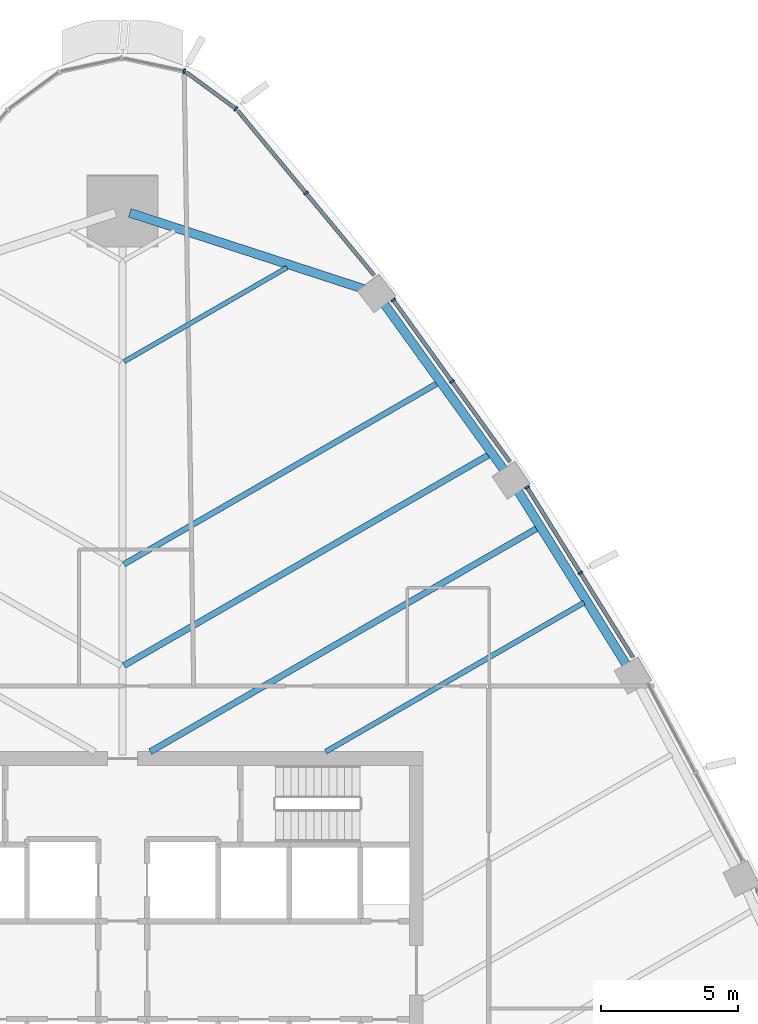
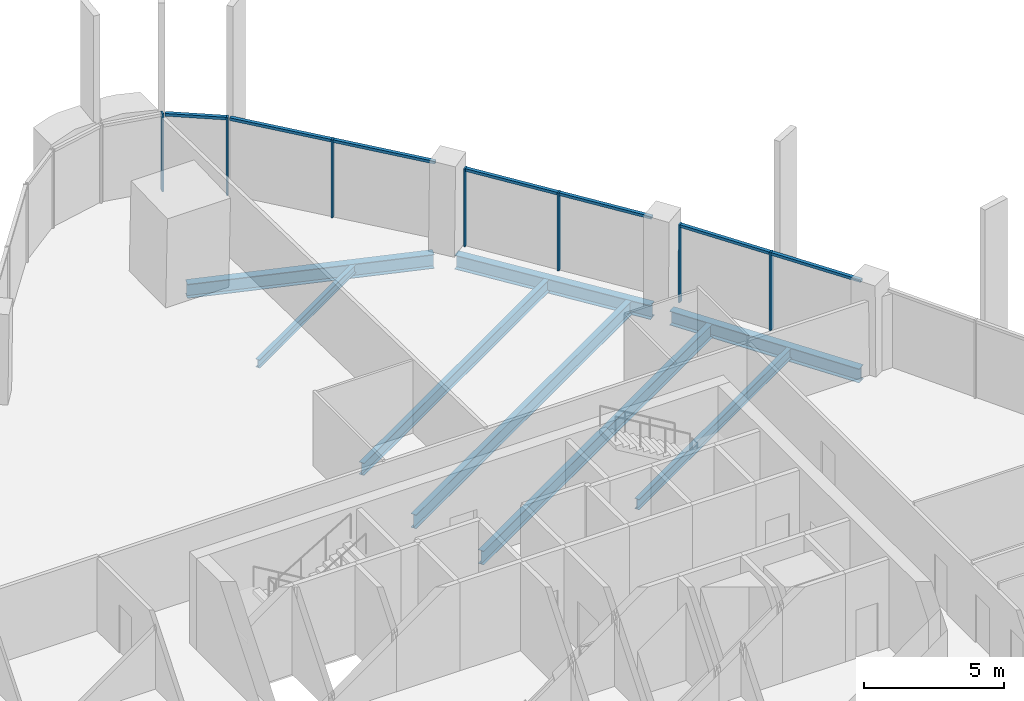
# One storey, part 7 of 20: 14 members, 8 beams, 5 elements without a shape of their own.
"""IFC4 building model written with IfcOpenShell, lengths in metres."""

from ifc_helpers import new_model, si_unit, direction, frame, origin, origin_2d, place, context, subcontext, project, spatial, rectangle, i_section, extrude, material, layer, layer_set, material_profile, profile_set, type_object, element, aggregate, save


model = new_model("IFC4")

# Units and contexts
model_context = context("Model", 3, precision=1e-05, world=origin(), true_north=direction((0.0, 1.0)))
body_context = subcontext(model_context, "Body", "Model", "MODEL_VIEW")
ifc_project = project(units=[si_unit("LENGTHUNIT", "METRE"), si_unit("AREAUNIT", "SQUARE_METRE"), si_unit("VOLUMEUNIT", "CUBIC_METRE"), si_unit("PLANEANGLEUNIT", "RADIAN"), si_unit("MASSUNIT", "GRAM", prefix="KILO")], contexts=[model_context])

# Site, building, storey
site_placement = place(None, origin())
site = spatial("IfcSite", under=ifc_project, at=site_placement, CompositionType="ELEMENT")
building_placement = place(site_placement, origin())
building = spatial("IfcBuilding", under=site, at=building_placement, Name="Sierra Prisma Convention Tower", CompositionType="ELEMENT")
storey_placement = place(building_placement, frame((0.0, 0.0, 161.800048828125)))
storey = spatial("IfcBuildingStorey", under=building, at=storey_placement, Name="L35", CompositionType="ELEMENT", Elevation=161.800048828125)

# Curtain wall, members
ifc_material_1 = material(Name="Aluminium and glass curtain wall", Category="aluminium")
ifc_layer = layer(ifc_material_1, 0.179931640625)
ifc_layer_set = layer_set([ifc_layer], Name="CW-1 Plain shaft curtain wall")
curtain_wall_type = type_object("IfcCurtainWallType", Name="CW-1 Plain shaft curtain wall", PredefinedType="NOTDEFINED", material=ifc_layer_set)
curtain_wall_1_placement = place(storey_placement, origin())
curtain_wall_1 = element("IfcCurtainWall", 1, at=curtain_wall_1_placement, inside=storey, type_object=curtain_wall_type, Name="CW-1 NE4 L35", PredefinedType="NOTDEFINED")
ifc_material_2 = material(Name="Aluminium 6063-T6 bronze anodised", Category="aluminium")
ifc_material_profile_1 = material_profile(ifc_material_2, rectangle(XDim=0.179931640625, YDim=0.070068359375, at=origin_2d()), Name="ALU MULLION 70x180")
ifc_profile_set_1 = profile_set([ifc_material_profile_1], Name="Aluminium 6063-T6 bronze anodised")
member_type_1 = type_object("IfcMemberType", Name="CW mullion bronze", PredefinedType="MULLION", material=ifc_profile_set_1)
member_1_placement = place(storey_placement, frame((16.75390625, 14.545654296875, 0.0), z_axis=(0.0, 0.0, 1.0), x_axis=(-0.848703599418, -0.528868793119, 0.0)))
member_1 = element("IfcMember", 2, at=member_1_placement, type_object=member_type_1, Name="CW-1 mullion NE4.2", PredefinedType="MULLION", context=body_context, shape_type="SweptSolid", body=[
    extrude(rectangle(XDim=0.179931640625, YDim=0.070068359375, at=origin_2d()), origin(), (0.0, 0.0, 1.0), 3.39990234375),
])
member_2_placement = place(storey_placement, frame((14.803955078125, 17.675048828125, 0.0), z_axis=(0.0, 0.0, 1.0), x_axis=(-0.848703599418, -0.528868793119, 0.0)))
member_2 = element("IfcMember", 3, at=member_2_placement, type_object=member_type_1, Name="CW-1 mullion NE4.3", PredefinedType="MULLION", context=body_context, shape_type="SweptSolid", body=[
    extrude(rectangle(XDim=0.179931640625, YDim=0.070068359375, at=origin_2d()), origin(), (0.0, 0.0, 1.0), 3.39990234375),
])

curtain_wall_2_placement = place(storey_placement, origin())
curtain_wall_2 = element("IfcCurtainWall", 4, at=curtain_wall_2_placement, inside=storey, type_object=curtain_wall_type, Name="CW-1 NE5 L35", PredefinedType="NOTDEFINED")
member_3_placement = place(storey_placement, frame((12.05419921875, 21.55224609375, 0.0), z_axis=(0.0, 0.0, 1.0), x_axis=(-0.811194819784, -0.584775995024, 0.0)))
member_3 = element("IfcMember", 5, at=member_3_placement, type_object=member_type_1, Name="CW-1 mullion NE5.2", PredefinedType="MULLION", context=body_context, shape_type="SweptSolid", body=[
    extrude(rectangle(XDim=0.179931640625, YDim=0.070068359375, at=origin_2d()), origin(), (0.0, 0.0, 1.0), 3.39990234375),
])
member_4_placement = place(storey_placement, frame((9.906982421875, 24.531005859375, 0.0), z_axis=(0.0, 0.0, 1.0), x_axis=(-0.811194819784, -0.584775995024, 0.0)))
member_4 = element("IfcMember", 6, at=member_4_placement, type_object=member_type_1, Name="CW-1 mullion NE5.3", PredefinedType="MULLION", context=body_context, shape_type="SweptSolid", body=[
    extrude(rectangle(XDim=0.179931640625, YDim=0.070068359375, at=origin_2d()), origin(), (0.0, 0.0, 1.0), 3.39990234375),
])

# Curtain wall, member
curtain_wall_3_placement = place(storey_placement, origin())
curtain_wall_3 = element("IfcCurtainWall", 7, at=curtain_wall_3_placement, inside=storey, type_object=curtain_wall_type, Name="CW-1 NE6 L35", PredefinedType="NOTDEFINED")
member_5_placement = place(storey_placement, frame((6.711669921875, 28.447998046875, 0.0), z_axis=(0.0, 0.0, 1.0), x_axis=(-0.770009280332, -0.638032685842, 0.0)))
member_5 = element("IfcMember", 8, at=member_5_placement, type_object=member_type_1, Name="CW-1 mullion NE6.2", PredefinedType="MULLION", context=body_context, shape_type="SweptSolid", body=[
    extrude(rectangle(XDim=0.179931640625, YDim=0.070068359375, at=origin_2d()), origin(), (0.0, 0.0, 1.0), 3.39990234375),
])

curtain_wall_4_placement = place(storey_placement, origin())
curtain_wall_4 = element("IfcCurtainWall", 9, at=curtain_wall_4_placement, inside=storey, type_object=curtain_wall_type, Name="CW-1 N1 L35", PredefinedType="NOTDEFINED")
member_6_placement = place(storey_placement, frame((4.14501953125, 31.5322265625, 0.0), z_axis=(0.0, 0.0, 1.0), x_axis=(-0.592283917888, -0.805729334585, 0.0)))
member_6 = element("IfcMember", 10, at=member_6_placement, type_object=member_type_1, Name="CW-1 mullion N1.1", PredefinedType="MULLION", context=body_context, shape_type="SweptSolid", body=[
    extrude(rectangle(XDim=0.179931640625, YDim=0.070068359375, at=origin_2d()), origin(), (0.0, 0.0, 1.0), 3.39990234375),
])

curtain_wall_5_placement = place(storey_placement, origin())
curtain_wall_5 = element("IfcCurtainWall", 11, at=curtain_wall_5_placement, inside=storey, type_object=curtain_wall_type, Name="CW-1 N2 L35", PredefinedType="NOTDEFINED")
member_7_placement = place(storey_placement, frame((2.253662109375, 32.90478515625, 0.0), z_axis=(0.0, 0.0, 1.0), x_axis=(-0.209728065473, -0.977759755028, 0.0)))
member_7 = element("IfcMember", 12, at=member_7_placement, type_object=member_type_1, Name="CW-1 mullion N2.1", PredefinedType="MULLION", context=body_context, shape_type="SweptSolid", body=[
    extrude(rectangle(XDim=0.179931640625, YDim=0.070068359375, at=origin_2d()), origin(), (0.0, 0.0, 1.0), 3.39990234375),
])
aggregate(curtain_wall_5, [member_7])

# Member
ifc_material_3 = material(Name="Aluminium 6063-T6 bronze anodised", Category="aluminium")
ifc_material_profile_2 = material_profile(ifc_material_3, rectangle(XDim=0.139892578125, YDim=0.1201171875, at=origin_2d()), Name="ALU TRANSOM 120x140")
ifc_profile_set_2 = profile_set([ifc_material_profile_2], Name="Aluminium 6063-T6 bronze anodised")
member_type_2 = type_object("IfcMemberType", Name="CW transom bronze", PredefinedType="USERDEFINED", material=ifc_profile_set_2)
member_8_placement = place(storey_placement, frame((18.685546875, 11.44580078125, 3.33984375), z_axis=(-0.528864000554, 0.848706585881, 0.0), x_axis=(-0.848706585881, -0.528864000554, 0.0)))
member_8 = element("IfcMember", 13, at=member_8_placement, type_object=member_type_2, Name="CW-1 transom NE4.1", ObjectType="TRANSOM", PredefinedType="USERDEFINED", context=body_context, shape_type="SweptSolid", body=[
    extrude(rectangle(XDim=0.139892578125, YDim=0.1201171875, at=origin_2d()), origin(), (0.0, 0.0, 1.0), 3.617431640625),
])

member_9_placement = place(storey_placement, frame((16.7353515625, 14.5751953125, 3.33984375), z_axis=(-0.528864000554, 0.848706585881, 0.0), x_axis=(-0.848706585881, -0.528864000554, 0.0)))
member_9 = element("IfcMember", 14, at=member_9_placement, type_object=member_type_2, Name="CW-1 transom NE4.2", ObjectType="TRANSOM", PredefinedType="USERDEFINED", context=body_context, shape_type="SweptSolid", body=[
    extrude(rectangle(XDim=0.139892578125, YDim=0.1201171875, at=origin_2d()), origin(), (0.0, 0.0, 1.0), 3.617431640625),
])

aggregate(curtain_wall_1, [member_1, member_2, member_8, member_9])

member_10_placement = place(storey_placement, frame((14.18115234375, 18.601806640625, 3.33984375), z_axis=(-0.584797426617, 0.811179369697, 0.0), x_axis=(-0.811179369697, -0.584797426617, 0.0)))
member_10 = element("IfcMember", 15, at=member_10_placement, type_object=member_type_2, Name="CW-1 transom NE5.1", ObjectType="TRANSOM", PredefinedType="USERDEFINED", context=body_context, shape_type="SweptSolid", body=[
    extrude(rectangle(XDim=0.139892578125, YDim=0.1201171875, at=origin_2d()), origin(), (0.0, 0.0, 1.0), 3.60205078125),
])

member_11_placement = place(storey_placement, frame((12.03369140625, 21.58056640625, 3.33984375), z_axis=(-0.584752824555, 0.811211522462, 0.0), x_axis=(-0.811211522462, -0.584752824555, 0.0)))
member_11 = element("IfcMember", 16, at=member_11_placement, type_object=member_type_2, Name="CW-1 transom NE5.2", ObjectType="TRANSOM", PredefinedType="USERDEFINED", context=body_context, shape_type="SweptSolid", body=[
    extrude(rectangle(XDim=0.139892578125, YDim=0.1201171875, at=origin_2d()), origin(), (0.0, 0.0, 1.0), 3.601806640625),
])

aggregate(curtain_wall_2, [member_3, member_4, member_10, member_11])

member_12_placement = place(storey_placement, frame((9.205322265625, 25.4384765625, 3.33984375), z_axis=(-0.638030677676, 0.770010944302, 0.0), x_axis=(-0.770010944302, -0.638030677676, 0.0)))
member_12 = element("IfcMember", 17, at=member_12_placement, type_object=member_type_2, Name="CW-1 transom NE6.1", ObjectType="TRANSOM", PredefinedType="USERDEFINED", context=body_context, shape_type="SweptSolid", body=[
    extrude(rectangle(XDim=0.139892578125, YDim=0.1201171875, at=origin_2d()), origin(), (0.0, 0.0, 1.0), 3.87353515625),
])

member_13_placement = place(storey_placement, frame((6.689453125, 28.47509765625, 3.33984375), z_axis=(-0.638061643641, 0.769985284868, 0.0), x_axis=(-0.769985284868, -0.638061643641, 0.0)))
member_13 = element("IfcMember", 18, at=member_13_placement, type_object=member_type_2, Name="CW-1 transom NE6.2", ObjectType="TRANSOM", PredefinedType="USERDEFINED", context=body_context, shape_type="SweptSolid", body=[
    extrude(rectangle(XDim=0.139892578125, YDim=0.1201171875, at=origin_2d()), origin(), (0.0, 0.0, 1.0), 3.873291015625),
])

aggregate(curtain_wall_3, [member_5, member_12, member_13])

member_14_placement = place(storey_placement, frame((4.116943359375, 31.552978515625, 3.33984375), z_axis=(-0.805755365815, 0.592248503974, 0.0), x_axis=(-0.592248503974, -0.805755365815, 0.0)))
member_14 = element("IfcMember", 19, at=member_14_placement, type_object=member_type_2, Name="CW-1 transom N1.1", ObjectType="TRANSOM", PredefinedType="USERDEFINED", context=body_context, shape_type="SweptSolid", body=[
    extrude(rectangle(XDim=0.139892578125, YDim=0.1201171875, at=origin_2d()), origin(), (0.0, 0.0, 1.0), 2.199951171875),
])

aggregate(curtain_wall_4, [member_6, member_14])

# Beams
ifc_material_4 = material(Name="Steel ASTM A992 Gr 50", Category="steel")
ifc_material_profile_3 = material_profile(ifc_material_4, i_section(OverallWidth=0.172119140625, OverallDepth=0.35791015625, WebThickness=0.0078125, FlangeThickness=0.01318359375, at=origin_2d()), Name="W360x57")
ifc_profile_set_3 = profile_set([ifc_material_profile_3], Name="Steel ASTM A992 Gr 50")
beam_type_1 = type_object("IfcBeamType", Name="Floor joist W360x57", PredefinedType="JOIST", material=ifc_profile_set_3)
beam_1_placement = place(storey_placement, frame((6.014892578125, 25.720458984375, -0.3291015625), z_axis=(-0.866026781132, -0.499997614356, 0.0), x_axis=(0.499997614356, -0.866026781132, 0.0)))
element("IfcBeam", 20, at=beam_1_placement, inside=storey, type_object=beam_type_1, Name="Floor joist L35 NE14", PredefinedType="JOIST", context=body_context, shape_type="SweptSolid", body=[
    extrude(i_section(OverallWidth=0.172119140625, OverallDepth=0.35791015625, WebThickness=0.0078125, FlangeThickness=0.01318359375, at=origin_2d()), origin(), (0.0, 0.0, 1.0), 6.88671875),
])
ifc_material_5 = material(Name="Steel ASTM A992 Gr 50", Category="steel")
ifc_material_profile_4 = material_profile(ifc_material_5, i_section(OverallWidth=0.18994140625, OverallDepth=0.45703125, WebThickness=0.009033203125, FlangeThickness=0.014404296875, at=origin_2d()), Name="W460x74")
ifc_profile_set_4 = profile_set([ifc_material_profile_4], Name="Steel ASTM A992 Gr 50")
beam_type_2 = type_object("IfcBeamType", Name="Floor joist W460x74", PredefinedType="JOIST", material=ifc_profile_set_4)
beam_2_placement = place(storey_placement, frame((16.88720703125, 13.457763671875, -0.378662109375), z_axis=(-0.866025427251, -0.499999959354, 0.0), x_axis=(0.499999959354, -0.866025427251, 0.0)))
element("IfcBeam", 21, at=beam_2_placement, inside=storey, type_object=beam_type_2, Name="Floor joist L35 NE09", PredefinedType="JOIST", context=body_context, shape_type="SweptSolid", body=[
    extrude(i_section(OverallWidth=0.18994140625, OverallDepth=0.45703125, WebThickness=0.009033203125, FlangeThickness=0.014404296875, at=origin_2d()), origin(), (0.0, 0.0, 1.0), 10.91552734375),
])
ifc_material_6 = material(Name="Steel ASTM A992 Gr 50", Category="steel")
ifc_material_profile_5 = material_profile(ifc_material_6, i_section(OverallWidth=0.208984375, OverallDepth=0.532958984375, WebThickness=0.01025390625, FlangeThickness=0.015625, at=origin_2d()), Name="W530x92")
ifc_profile_set_5 = profile_set([ifc_material_profile_5], Name="Steel ASTM A992 Gr 50")
beam_type_3 = type_object("IfcBeamType", Name="Floor joist W530x92", PredefinedType="JOIST", material=ifc_profile_set_5)
beam_3_placement = place(storey_placement, frame((11.530029296875, 21.488525390625, -0.41650390625), z_axis=(-0.866028851642, -0.499994028088, 0.0), x_axis=(0.499994028088, -0.866028851642, 0.0)))
element("IfcBeam", 22, at=beam_3_placement, inside=storey, type_object=beam_type_3, Name="Floor joist L35 NE12", PredefinedType="JOIST", context=body_context, shape_type="SweptSolid", body=[
    extrude(i_section(OverallWidth=0.208984375, OverallDepth=0.532958984375, WebThickness=0.01025390625, FlangeThickness=0.015625, at=origin_2d()), origin(), (0.0, 0.0, 1.0), 13.255126953125),
])
ifc_material_7 = material(Name="Steel ASTM A992 Gr 50", Category="steel")
ifc_material_profile_6 = material_profile(ifc_material_7, i_section(OverallWidth=0.22802734375, OverallDepth=0.60302734375, WebThickness=0.010498046875, FlangeThickness=0.014892578125, at=origin_2d()), Name="W610x101")
ifc_profile_set_6 = profile_set([ifc_material_profile_6], Name="Steel ASTM A992 Gr 50")
beam_type_4 = type_object("IfcBeamType", Name="Floor joist W610x101", PredefinedType="JOIST", material=ifc_profile_set_6)
beam_4_placement = place(storey_placement, frame((15.18798828125, 16.1845703125, -0.45166015625), z_axis=(-0.86602812093, -0.499995293736, 0.0), x_axis=(0.499995293736, -0.86602812093, 0.0)))
element("IfcBeam", 23, at=beam_4_placement, inside=storey, type_object=beam_type_4, Name="Floor joist L35 NE10", PredefinedType="JOIST", context=body_context, shape_type="SweptSolid", body=[
    extrude(i_section(OverallWidth=0.22802734375, OverallDepth=0.60302734375, WebThickness=0.010498046875, FlangeThickness=0.014892578125, at=origin_2d()), origin(), (0.0, 0.0, 1.0), 16.369384765625),
])
beam_5_placement = place(storey_placement, frame((13.41748046875, 18.870361328125, -0.45166015625), z_axis=(-0.866024905415, -0.5000008632, 0.0), x_axis=(0.5000008632, -0.866024905415, 0.0)))
element("IfcBeam", 24, at=beam_5_placement, inside=storey, type_object=beam_type_4, Name="Floor joist L35 NE11", PredefinedType="JOIST", context=body_context, shape_type="SweptSolid", body=[
    extrude(i_section(OverallWidth=0.22802734375, OverallDepth=0.60302734375, WebThickness=0.010498046875, FlangeThickness=0.014892578125, at=origin_2d()), origin(), (0.0, 0.0, 1.0), 15.4345703125),
])
ifc_material_8 = material(Name="Steel ASTM A992 Gr 50", Category="steel")
ifc_material_profile_7 = material_profile(ifc_material_8, i_section(OverallWidth=0.324951171875, OverallDepth=0.615966796875, WebThickness=0.013916015625, FlangeThickness=0.021484375, at=origin_2d()), Name="W610x174")
ifc_profile_set_7 = profile_set([ifc_material_profile_7], Name="Steel ASTM A992 Gr 50")
beam_type_5 = type_object("IfcBeamType", Name="Spandrel beam W610x174", PredefinedType="BEAM", material=ifc_profile_set_7)
for number, where, z_axis, x_axis, name in (
    (25, (18.482666015625, 11.10986328125, -0.4580078125), (-0.528862992652, 0.848707213946, 0.0), (-0.848707213946, -0.528862992652, 0.0), "Spandrel L35-10"),
    (26, (14.00146484375, 18.2529296875, -0.4580078125), (-0.58477236026, 0.811197440008, 0.0), (-0.811197440008, -0.58477236026, 0.0), "Spandrel L35-11"),
):
    element("IfcBeam", number, at=place(storey_placement, frame(where, z_axis=z_axis, x_axis=x_axis)), inside=storey, type_object=beam_type_5, Name=name, PredefinedType="BEAM", context=body_context, shape_type="SweptSolid", body=[
        extrude(i_section(OverallWidth=0.324951171875, OverallDepth=0.615966796875, WebThickness=0.013916015625, FlangeThickness=0.021484375, at=origin_2d()), origin(), (0.0, 0.0, 1.0), 7.6728515625),
    ])
beam_6_placement = place(storey_placement, frame((8.8310546875, 24.935791015625, -0.4580078125), z_axis=(-0.950912774055, 0.309459037901, 0.0), x_axis=(-0.309459037901, -0.950912774055, 0.0)))
element("IfcBeam", 27, at=beam_6_placement, inside=storey, type_object=beam_type_5, Name="Spandrel L35-12", PredefinedType="BEAM", context=body_context, shape_type="SweptSolid", body=[
    extrude(i_section(OverallWidth=0.324951171875, OverallDepth=0.615966796875, WebThickness=0.013916015625, FlangeThickness=0.021484375, at=origin_2d()), origin(), (0.0, 0.0, 1.0), 9.013427734375),
])

save(model, "model.ifc")
